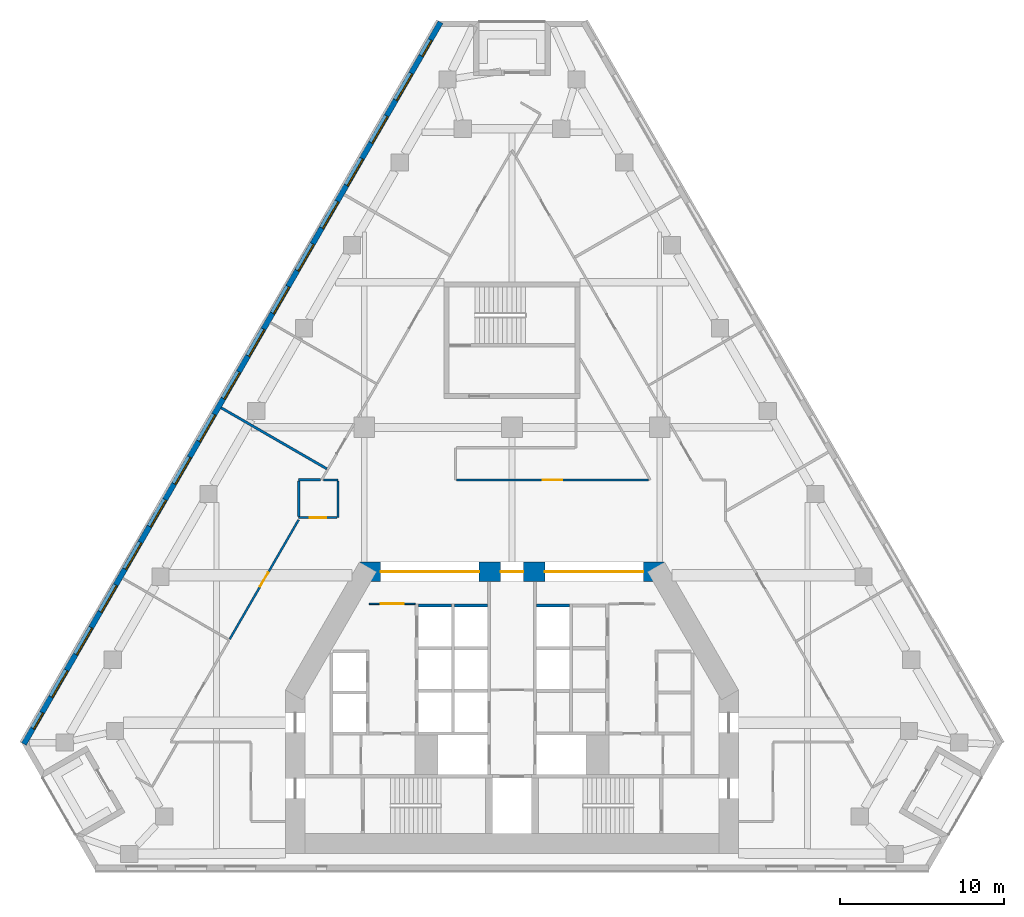
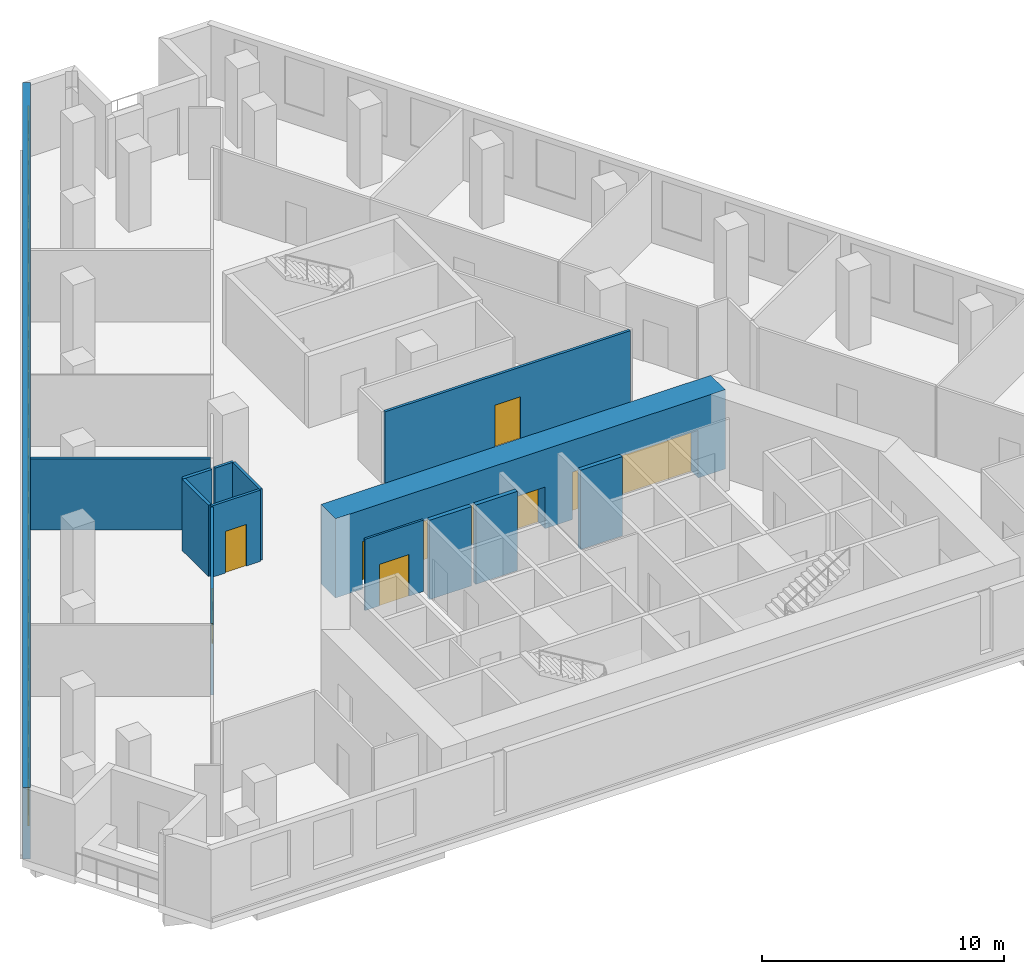
# One storey, part 5 of 10: 17 windows, 14 walls, 7 doors, 24 openings.
"""IFC4 building model written with IfcOpenShell, lengths in metres."""

from ifc_helpers import new_model, si_unit, direction, frame, frame_2d, origin, place, context, subcontext, project, spatial, rectangle, extrude, material, layer, layer_set, type_object, element, fill, save


model = new_model("IFC4")

# Units and contexts
model_context = context("Model", 3, precision=1e-05, world=origin(), true_north=direction((0.0, 1.0)))
body_context = subcontext(model_context, "Body", "Model", "MODEL_VIEW")
ifc_project = project(units=[si_unit("LENGTHUNIT", "METRE"), si_unit("AREAUNIT", "SQUARE_METRE"), si_unit("VOLUMEUNIT", "CUBIC_METRE"), si_unit("PLANEANGLEUNIT", "RADIAN"), si_unit("MASSUNIT", "GRAM", prefix="KILO")], contexts=[model_context])

# Site, building, storey
site_placement = place(None, origin())
site = spatial("IfcSite", under=ifc_project, at=site_placement, CompositionType="ELEMENT")
building_placement = place(site_placement, origin())
building = spatial("IfcBuilding", under=site, at=building_placement, Name="Fogline Exchange Tower", CompositionType="ELEMENT")
storey_placement = place(building_placement, frame((0.0, 0.0, 128.10009765625)))
storey = spatial("IfcBuildingStorey", under=building, at=storey_placement, Name="L28", CompositionType="ELEMENT", Elevation=128.10009765625)

# Wall, opening, door
ifc_material_1 = material(Name="Blockwork partition", Category="masonry")
ifc_layer_1 = layer(ifc_material_1, 0.10009765625)
ifc_layer_set_1 = layer_set([ifc_layer_1], Name="CW10")
wall_type_1 = type_object("IfcWallType", Name="CW10", PredefinedType="PARTITIONING", material=ifc_layer_set_1)
wall_1_placement = place(storey_placement, frame((-8.699951171875, 16.25, 0.0), z_axis=(0.0, 0.0, 1.0), x_axis=(1.0, 0.0, 0.0)))
wall_1 = element("IfcWall", 1, at=wall_1_placement, inside=storey, type_object=wall_type_1, Name="Lift lobby partition", PredefinedType="PARTITIONING", context=body_context, shape_type="SweptSolid", body=[
    extrude(rectangle(XDim=2.800048828125, YDim=0.10009765625, at=frame_2d((1.39990234375, 0.0))), origin(), (0.0, 0.0, 1.0), 3.599853515625),
])
opening_1_placement = place(wall_1_placement, frame((0.699951171875, 0.0, 0.0)))
opening_1 = element("IfcOpeningElement", 2, at=opening_1_placement, cuts=wall_1, Name="Opening T08-C007", PredefinedType="OPENING", context=body_context, shape_type="SweptSolid", body=[
    extrude(rectangle(XDim=1.39990234375, YDim=2.10009765625, at=frame_2d((0.699951171875, 1.050048828125))), frame((0.0, 0.06005859375, 0.0), z_axis=(0.0, -1.0, 0.0), x_axis=(1.0, 0.0, 0.0)), (0.0, 0.0, 1.0), 0.1201171875),
])
ifc_material_2 = material(Name="Steel and timber fire door", Category="steel")
door_type_1 = type_object("IfcDoorType", Name="D-LB1", OperationType="DOUBLE_DOOR_SINGLE_SWING", PredefinedType="DOOR", material=ifc_material_2)
door_1_placement = place(opening_1_placement, origin())
door_1 = element("IfcDoor", 3, at=door_1_placement, inside=storey, type_object=door_type_1, Name="Door to lift lobby", OperationType="DOUBLE_DOOR_SINGLE_SWING", OverallHeight=2.10009765625, OverallWidth=1.39990234375, PredefinedType="DOOR", context=body_context, shape_type="SweptSolid", body=[
    extrude(rectangle(XDim=1.39990234375, YDim=2.10009765625, at=frame_2d((0.699951171875, 1.050048828125))), frame((0.0, 0.02490234375, 0.0), z_axis=(0.0, -1.0, 0.0), x_axis=(1.0, 0.0, 0.0)), (0.0, 0.0, 1.0), 0.050048828125),
])
fill(opening_1, door_1)

# Walls
ifc_material_3 = material(Name="Concrete C40", Category="concrete")
ifc_layer_2 = layer(ifc_material_3, 0.199951171875)
ifc_layer_set_2 = layer_set([ifc_layer_2], Name="CW20S")
wall_type_2 = type_object("IfcWallType", Name="CW20S", PredefinedType="SOLIDWALL", material=ifc_layer_set_2)
for number, where, z_axis, x_axis, name in (
    (4, (-5.699951171875, 16.14990234375, -0.400146484375), (0.0, 0.0, 1.0), (1.0, 0.0, 0.0), "Lift shaft wall"),
    (5, (-3.5, 16.14990234375, -0.400146484375), (0.0, 0.0, 1.0), (1.0, 0.0, 0.0), "Lift shaft wall"),
    (6, (1.5, 16.14990234375, -0.400146484375), (0.0, 0.0, 1.0), (1.0, 0.0, 0.0), "Lift shaft wall"),
):
    element("IfcWall", number, at=place(storey_placement, frame(where, z_axis=z_axis, x_axis=x_axis)), inside=storey, type_object=wall_type_2, Name=name, PredefinedType="SOLIDWALL", context=body_context, shape_type="SweptSolid", body=[
        extrude(rectangle(XDim=2.0, YDim=0.199951171875, at=frame_2d((1.0, 0.0))), origin(), (0.0, 0.0, 1.0), 4.0),
    ])

# Wall, openings, windows
ifc_material_4 = material(Name="Brick masonry", Category="masonry")
ifc_layer_3 = layer(ifc_material_4, 0.340087890625)
ifc_layer_set_3 = layer_set([ifc_layer_3], Name="FW1")
wall_type_3 = type_object("IfcWallType", Name="FW1", PredefinedType="SOLIDWALL", material=ifc_layer_set_3)
wall_2_placement = place(storey_placement, frame((-4.352783203125, 51.691650390625, 0.0), z_axis=(0.0, 0.0, 1.0), x_axis=(-0.500000700546, -0.866024999324, 0.0)))
wall_2 = element("IfcWall", 7, at=wall_2_placement, inside=storey, type_object=wall_type_3, Name="Brick wall L28 W", PredefinedType="SOLIDWALL", context=body_context, shape_type="SweptSolid", body=[
    extrude(rectangle(XDim=50.78662109375, YDim=0.340087890625, at=frame_2d((25.393310546875, 0.0))), origin(), (0.0, 0.0, 1.0), 3.599853515625),
])
opening_2_placement = place(wall_2_placement, frame((3.58984375, 0.0, 0.89990234375)))
opening_2 = element("IfcOpeningElement", 8, at=opening_2_placement, cuts=wall_2, Name="Opening W1", PredefinedType="OPENING", context=body_context, shape_type="SweptSolid", body=[
    extrude(rectangle(XDim=1.885009765625, YDim=2.39990234375, at=frame_2d((0.9423828125, 1.199951171875))), frame((0.0, 0.18017578125, 0.0), z_axis=(0.0, -1.0, 0.0), x_axis=(1.0, 0.0, 0.0)), (0.0, 0.0, 1.0), 0.360107421875),
])
opening_3_placement = place(wall_2_placement, frame((6.58984375, 0.0, 0.89990234375)))
opening_3 = element("IfcOpeningElement", 9, at=opening_3_placement, cuts=wall_2, Name="Opening W1", PredefinedType="OPENING", context=body_context, shape_type="SweptSolid", body=[
    extrude(rectangle(XDim=1.885009765625, YDim=2.39990234375, at=frame_2d((0.9423828125, 1.199951171875))), frame((0.0, 0.18017578125, 0.0), z_axis=(0.0, -1.0, 0.0), x_axis=(1.0, 0.0, 0.0)), (0.0, 0.0, 1.0), 0.360107421875),
])
opening_4_placement = place(wall_2_placement, frame((9.58984375, 0.0, 0.89990234375)))
opening_4 = element("IfcOpeningElement", 10, at=opening_4_placement, cuts=wall_2, Name="Opening W1", PredefinedType="OPENING", context=body_context, shape_type="SweptSolid", body=[
    extrude(rectangle(XDim=1.885009765625, YDim=2.39990234375, at=frame_2d((0.9423828125, 1.199951171875))), frame((0.0, 0.18017578125, 0.0), z_axis=(0.0, -1.0, 0.0), x_axis=(1.0, 0.0, 0.0)), (0.0, 0.0, 1.0), 0.360107421875),
])
opening_5_placement = place(wall_2_placement, frame((12.58984375, 0.0, 0.89990234375)))
opening_5 = element("IfcOpeningElement", 11, at=opening_5_placement, cuts=wall_2, Name="Opening W1", PredefinedType="OPENING", context=body_context, shape_type="SweptSolid", body=[
    extrude(rectangle(XDim=1.885009765625, YDim=2.39990234375, at=frame_2d((0.9423828125, 1.199951171875))), frame((0.0, 0.18017578125, 0.0), z_axis=(0.0, -1.0, 0.0), x_axis=(1.0, 0.0, 0.0)), (0.0, 0.0, 1.0), 0.360107421875),
])
opening_6_placement = place(wall_2_placement, frame((15.58984375, 0.0, 0.89990234375)))
opening_6 = element("IfcOpeningElement", 12, at=opening_6_placement, cuts=wall_2, Name="Opening W1", PredefinedType="OPENING", context=body_context, shape_type="SweptSolid", body=[
    extrude(rectangle(XDim=1.885009765625, YDim=2.39990234375, at=frame_2d((0.9423828125, 1.199951171875))), frame((0.0, 0.18017578125, 0.0), z_axis=(0.0, -1.0, 0.0), x_axis=(1.0, 0.0, 0.0)), (0.0, 0.0, 1.0), 0.360107421875),
])
opening_7_placement = place(wall_2_placement, frame((18.58984375, 0.0, 0.89990234375)))
opening_7 = element("IfcOpeningElement", 13, at=opening_7_placement, cuts=wall_2, Name="Opening W1", PredefinedType="OPENING", context=body_context, shape_type="SweptSolid", body=[
    extrude(rectangle(XDim=1.885009765625, YDim=2.39990234375, at=frame_2d((0.9423828125, 1.199951171875))), frame((0.0, 0.18017578125, 0.0), z_axis=(0.0, -1.0, 0.0), x_axis=(1.0, 0.0, 0.0)), (0.0, 0.0, 1.0), 0.360107421875),
])
opening_8_placement = place(wall_2_placement, frame((21.58984375, 0.0, 0.89990234375)))
opening_8 = element("IfcOpeningElement", 14, at=opening_8_placement, cuts=wall_2, Name="Opening W1", PredefinedType="OPENING", context=body_context, shape_type="SweptSolid", body=[
    extrude(rectangle(XDim=1.885009765625, YDim=2.39990234375, at=frame_2d((0.9423828125, 1.199951171875))), frame((0.0, 0.18017578125, 0.0), z_axis=(0.0, -1.0, 0.0), x_axis=(1.0, 0.0, 0.0)), (0.0, 0.0, 1.0), 0.360107421875),
])
opening_9_placement = place(wall_2_placement, frame((24.58984375, 0.0, 0.89990234375)))
opening_9 = element("IfcOpeningElement", 15, at=opening_9_placement, cuts=wall_2, Name="Opening W1", PredefinedType="OPENING", context=body_context, shape_type="SweptSolid", body=[
    extrude(rectangle(XDim=1.885009765625, YDim=2.39990234375, at=frame_2d((0.9423828125, 1.199951171875))), frame((0.0, 0.18017578125, 0.0), z_axis=(0.0, -1.0, 0.0), x_axis=(1.0, 0.0, 0.0)), (0.0, 0.0, 1.0), 0.360107421875),
])
opening_10_placement = place(wall_2_placement, frame((27.58984375, 0.0, 0.89990234375)))
opening_10 = element("IfcOpeningElement", 16, at=opening_10_placement, cuts=wall_2, Name="Opening W1", PredefinedType="OPENING", context=body_context, shape_type="SweptSolid", body=[
    extrude(rectangle(XDim=1.885009765625, YDim=2.39990234375, at=frame_2d((0.9423828125, 1.199951171875))), frame((0.0, 0.18017578125, 0.0), z_axis=(0.0, -1.0, 0.0), x_axis=(1.0, 0.0, 0.0)), (0.0, 0.0, 1.0), 0.360107421875),
])
opening_11_placement = place(wall_2_placement, frame((30.58984375, 0.0, 0.89990234375)))
opening_11 = element("IfcOpeningElement", 17, at=opening_11_placement, cuts=wall_2, Name="Opening W1", PredefinedType="OPENING", context=body_context, shape_type="SweptSolid", body=[
    extrude(rectangle(XDim=1.885009765625, YDim=2.39990234375, at=frame_2d((0.9423828125, 1.199951171875))), frame((0.0, 0.18017578125, 0.0), z_axis=(0.0, -1.0, 0.0), x_axis=(1.0, 0.0, 0.0)), (0.0, 0.0, 1.0), 0.360107421875),
])
opening_12_placement = place(wall_2_placement, frame((33.58984375, 0.0, 0.89990234375)))
opening_12 = element("IfcOpeningElement", 18, at=opening_12_placement, cuts=wall_2, Name="Opening W1", PredefinedType="OPENING", context=body_context, shape_type="SweptSolid", body=[
    extrude(rectangle(XDim=1.885009765625, YDim=2.39990234375, at=frame_2d((0.9423828125, 1.199951171875))), frame((0.0, 0.18017578125, 0.0), z_axis=(0.0, -1.0, 0.0), x_axis=(1.0, 0.0, 0.0)), (0.0, 0.0, 1.0), 0.360107421875),
])
opening_13_placement = place(wall_2_placement, frame((36.58984375, 0.0, 0.89990234375)))
opening_13 = element("IfcOpeningElement", 19, at=opening_13_placement, cuts=wall_2, Name="Opening W1", PredefinedType="OPENING", context=body_context, shape_type="SweptSolid", body=[
    extrude(rectangle(XDim=1.885009765625, YDim=2.39990234375, at=frame_2d((0.9423828125, 1.199951171875))), frame((0.0, 0.18017578125, 0.0), z_axis=(0.0, -1.0, 0.0), x_axis=(1.0, 0.0, 0.0)), (0.0, 0.0, 1.0), 0.360107421875),
])
opening_14_placement = place(wall_2_placement, frame((39.58984375, 0.0, 0.89990234375)))
opening_14 = element("IfcOpeningElement", 20, at=opening_14_placement, cuts=wall_2, Name="Opening W1", PredefinedType="OPENING", context=body_context, shape_type="SweptSolid", body=[
    extrude(rectangle(XDim=1.885009765625, YDim=2.39990234375, at=frame_2d((0.9423828125, 1.199951171875))), frame((0.0, 0.18017578125, 0.0), z_axis=(0.0, -1.0, 0.0), x_axis=(1.0, 0.0, 0.0)), (0.0, 0.0, 1.0), 0.360107421875),
])
opening_15_placement = place(wall_2_placement, frame((42.58984375, 0.0, 0.89990234375)))
opening_15 = element("IfcOpeningElement", 21, at=opening_15_placement, cuts=wall_2, Name="Opening W1", PredefinedType="OPENING", context=body_context, shape_type="SweptSolid", body=[
    extrude(rectangle(XDim=1.885009765625, YDim=2.39990234375, at=frame_2d((0.9423828125, 1.199951171875))), frame((0.0, 0.18017578125, 0.0), z_axis=(0.0, -1.0, 0.0), x_axis=(1.0, 0.0, 0.0)), (0.0, 0.0, 1.0), 0.360107421875),
])
opening_16_placement = place(wall_2_placement, frame((45.58984375, 0.0, 0.89990234375)))
opening_16 = element("IfcOpeningElement", 22, at=opening_16_placement, cuts=wall_2, Name="Opening W1", PredefinedType="OPENING", context=body_context, shape_type="SweptSolid", body=[
    extrude(rectangle(XDim=1.885009765625, YDim=2.39990234375, at=frame_2d((0.9423828125, 1.199951171875))), frame((0.0, 0.18017578125, 0.0), z_axis=(0.0, -1.0, 0.0), x_axis=(1.0, 0.0, 0.0)), (0.0, 0.0, 1.0), 0.360107421875),
])
opening_17_placement = place(wall_2_placement, frame((1.237548828125, 0.0, 0.89990234375)))
opening_17 = element("IfcOpeningElement", 23, at=opening_17_placement, cuts=wall_2, Name="Opening W4", PredefinedType="OPENING", context=body_context, shape_type="SweptSolid", body=[
    extrude(rectangle(XDim=1.114990234375, YDim=2.39990234375, at=frame_2d((0.5576171875, 1.199951171875))), frame((0.0, 0.18017578125, 0.0), z_axis=(0.0, -1.0, 0.0), x_axis=(1.0, 0.0, 0.0)), (0.0, 0.0, 1.0), 0.360107421875),
])
opening_18_placement = place(wall_2_placement, frame((48.5732421875, 0.0, 0.89990234375)))
opening_18 = element("IfcOpeningElement", 24, at=opening_18_placement, cuts=wall_2, Name="Opening W4", PredefinedType="OPENING", context=body_context, shape_type="SweptSolid", body=[
    extrude(rectangle(XDim=1.114990234375, YDim=2.39990234375, at=frame_2d((0.5576171875, 1.199951171875))), frame((0.0, 0.18017578125, 0.0), z_axis=(0.0, -1.0, 0.0), x_axis=(1.0, 0.0, 0.0)), (0.0, 0.0, 1.0), 0.360107421875),
])
ifc_material_5 = material(Name="Aluminium and glass", Category="aluminium")
window_type_1 = type_object("IfcWindowType", Name="W1", PartitioningType="SINGLE_PANEL", PredefinedType="WINDOW", material=ifc_material_5)
window_1_placement = place(opening_2_placement, origin())
window_1 = element("IfcWindow", 25, at=window_1_placement, inside=storey, type_object=window_type_1, Name="W1 W1", OverallHeight=2.39990234375, OverallWidth=1.885009765625, PartitioningType="SINGLE_PANEL", PredefinedType="WINDOW", context=body_context, shape_type="SweptSolid", body=[
    extrude(rectangle(XDim=1.885009765625, YDim=2.39990234375, at=frame_2d((0.9423828125, 1.199951171875))), frame((0.0, 0.110107421875, 0.0), z_axis=(0.0, -1.0, 0.0), x_axis=(1.0, 0.0, 0.0)), (0.0, 0.0, 1.0), 0.06005859375),
])
fill(opening_2, window_1)
window_2_placement = place(opening_3_placement, origin())
window_2 = element("IfcWindow", 26, at=window_2_placement, inside=storey, type_object=window_type_1, Name="W1 W1", OverallHeight=2.39990234375, OverallWidth=1.885009765625, PartitioningType="SINGLE_PANEL", PredefinedType="WINDOW", context=body_context, shape_type="SweptSolid", body=[
    extrude(rectangle(XDim=1.885009765625, YDim=2.39990234375, at=frame_2d((0.9423828125, 1.199951171875))), frame((0.0, 0.110107421875, 0.0), z_axis=(0.0, -1.0, 0.0), x_axis=(1.0, 0.0, 0.0)), (0.0, 0.0, 1.0), 0.06005859375),
])
fill(opening_3, window_2)
window_3_placement = place(opening_4_placement, origin())
window_3 = element("IfcWindow", 27, at=window_3_placement, inside=storey, type_object=window_type_1, Name="W1 W1", OverallHeight=2.39990234375, OverallWidth=1.885009765625, PartitioningType="SINGLE_PANEL", PredefinedType="WINDOW", context=body_context, shape_type="SweptSolid", body=[
    extrude(rectangle(XDim=1.885009765625, YDim=2.39990234375, at=frame_2d((0.9423828125, 1.199951171875))), frame((0.0, 0.110107421875, 0.0), z_axis=(0.0, -1.0, 0.0), x_axis=(1.0, 0.0, 0.0)), (0.0, 0.0, 1.0), 0.06005859375),
])
fill(opening_4, window_3)
window_4_placement = place(opening_5_placement, origin())
window_4 = element("IfcWindow", 28, at=window_4_placement, inside=storey, type_object=window_type_1, Name="W1 W1", OverallHeight=2.39990234375, OverallWidth=1.885009765625, PartitioningType="SINGLE_PANEL", PredefinedType="WINDOW", context=body_context, shape_type="SweptSolid", body=[
    extrude(rectangle(XDim=1.885009765625, YDim=2.39990234375, at=frame_2d((0.9423828125, 1.199951171875))), frame((0.0, 0.110107421875, 0.0), z_axis=(0.0, -1.0, 0.0), x_axis=(1.0, 0.0, 0.0)), (0.0, 0.0, 1.0), 0.06005859375),
])
fill(opening_5, window_4)
window_5_placement = place(opening_6_placement, origin())
window_5 = element("IfcWindow", 29, at=window_5_placement, inside=storey, type_object=window_type_1, Name="W1 W1", OverallHeight=2.39990234375, OverallWidth=1.885009765625, PartitioningType="SINGLE_PANEL", PredefinedType="WINDOW", context=body_context, shape_type="SweptSolid", body=[
    extrude(rectangle(XDim=1.885009765625, YDim=2.39990234375, at=frame_2d((0.9423828125, 1.199951171875))), frame((0.0, 0.110107421875, 0.0), z_axis=(0.0, -1.0, 0.0), x_axis=(1.0, 0.0, 0.0)), (0.0, 0.0, 1.0), 0.06005859375),
])
fill(opening_6, window_5)
window_6_placement = place(opening_7_placement, origin())
window_6 = element("IfcWindow", 30, at=window_6_placement, inside=storey, type_object=window_type_1, Name="W1 W1", OverallHeight=2.39990234375, OverallWidth=1.885009765625, PartitioningType="SINGLE_PANEL", PredefinedType="WINDOW", context=body_context, shape_type="SweptSolid", body=[
    extrude(rectangle(XDim=1.885009765625, YDim=2.39990234375, at=frame_2d((0.9423828125, 1.199951171875))), frame((0.0, 0.110107421875, 0.0), z_axis=(0.0, -1.0, 0.0), x_axis=(1.0, 0.0, 0.0)), (0.0, 0.0, 1.0), 0.06005859375),
])
fill(opening_7, window_6)
window_7_placement = place(opening_8_placement, origin())
window_7 = element("IfcWindow", 31, at=window_7_placement, inside=storey, type_object=window_type_1, Name="W1 W1", OverallHeight=2.39990234375, OverallWidth=1.885009765625, PartitioningType="SINGLE_PANEL", PredefinedType="WINDOW", context=body_context, shape_type="SweptSolid", body=[
    extrude(rectangle(XDim=1.885009765625, YDim=2.39990234375, at=frame_2d((0.9423828125, 1.199951171875))), frame((0.0, 0.110107421875, 0.0), z_axis=(0.0, -1.0, 0.0), x_axis=(1.0, 0.0, 0.0)), (0.0, 0.0, 1.0), 0.06005859375),
])
fill(opening_8, window_7)
window_8_placement = place(opening_9_placement, origin())
window_8 = element("IfcWindow", 32, at=window_8_placement, inside=storey, type_object=window_type_1, Name="W1 W1", OverallHeight=2.39990234375, OverallWidth=1.885009765625, PartitioningType="SINGLE_PANEL", PredefinedType="WINDOW", context=body_context, shape_type="SweptSolid", body=[
    extrude(rectangle(XDim=1.885009765625, YDim=2.39990234375, at=frame_2d((0.9423828125, 1.199951171875))), frame((0.0, 0.110107421875, 0.0), z_axis=(0.0, -1.0, 0.0), x_axis=(1.0, 0.0, 0.0)), (0.0, 0.0, 1.0), 0.06005859375),
])
fill(opening_9, window_8)
window_9_placement = place(opening_10_placement, origin())
window_9 = element("IfcWindow", 33, at=window_9_placement, inside=storey, type_object=window_type_1, Name="W1 W1", OverallHeight=2.39990234375, OverallWidth=1.885009765625, PartitioningType="SINGLE_PANEL", PredefinedType="WINDOW", context=body_context, shape_type="SweptSolid", body=[
    extrude(rectangle(XDim=1.885009765625, YDim=2.39990234375, at=frame_2d((0.9423828125, 1.199951171875))), frame((0.0, 0.110107421875, 0.0), z_axis=(0.0, -1.0, 0.0), x_axis=(1.0, 0.0, 0.0)), (0.0, 0.0, 1.0), 0.06005859375),
])
fill(opening_10, window_9)
window_10_placement = place(opening_11_placement, origin())
window_10 = element("IfcWindow", 34, at=window_10_placement, inside=storey, type_object=window_type_1, Name="W1 W1", OverallHeight=2.39990234375, OverallWidth=1.885009765625, PartitioningType="SINGLE_PANEL", PredefinedType="WINDOW", context=body_context, shape_type="SweptSolid", body=[
    extrude(rectangle(XDim=1.885009765625, YDim=2.39990234375, at=frame_2d((0.9423828125, 1.199951171875))), frame((0.0, 0.110107421875, 0.0), z_axis=(0.0, -1.0, 0.0), x_axis=(1.0, 0.0, 0.0)), (0.0, 0.0, 1.0), 0.06005859375),
])
fill(opening_11, window_10)
window_11_placement = place(opening_12_placement, origin())
window_11 = element("IfcWindow", 35, at=window_11_placement, inside=storey, type_object=window_type_1, Name="W1 W1", OverallHeight=2.39990234375, OverallWidth=1.885009765625, PartitioningType="SINGLE_PANEL", PredefinedType="WINDOW", context=body_context, shape_type="SweptSolid", body=[
    extrude(rectangle(XDim=1.885009765625, YDim=2.39990234375, at=frame_2d((0.9423828125, 1.199951171875))), frame((0.0, 0.110107421875, 0.0), z_axis=(0.0, -1.0, 0.0), x_axis=(1.0, 0.0, 0.0)), (0.0, 0.0, 1.0), 0.06005859375),
])
fill(opening_12, window_11)
window_12_placement = place(opening_13_placement, origin())
window_12 = element("IfcWindow", 36, at=window_12_placement, inside=storey, type_object=window_type_1, Name="W1 W1", OverallHeight=2.39990234375, OverallWidth=1.885009765625, PartitioningType="SINGLE_PANEL", PredefinedType="WINDOW", context=body_context, shape_type="SweptSolid", body=[
    extrude(rectangle(XDim=1.885009765625, YDim=2.39990234375, at=frame_2d((0.9423828125, 1.199951171875))), frame((0.0, 0.110107421875, 0.0), z_axis=(0.0, -1.0, 0.0), x_axis=(1.0, 0.0, 0.0)), (0.0, 0.0, 1.0), 0.06005859375),
])
fill(opening_13, window_12)
window_13_placement = place(opening_14_placement, origin())
window_13 = element("IfcWindow", 37, at=window_13_placement, inside=storey, type_object=window_type_1, Name="W1 W1", OverallHeight=2.39990234375, OverallWidth=1.885009765625, PartitioningType="SINGLE_PANEL", PredefinedType="WINDOW", context=body_context, shape_type="SweptSolid", body=[
    extrude(rectangle(XDim=1.885009765625, YDim=2.39990234375, at=frame_2d((0.9423828125, 1.199951171875))), frame((0.0, 0.110107421875, 0.0), z_axis=(0.0, -1.0, 0.0), x_axis=(1.0, 0.0, 0.0)), (0.0, 0.0, 1.0), 0.06005859375),
])
fill(opening_14, window_13)
window_14_placement = place(opening_15_placement, origin())
window_14 = element("IfcWindow", 38, at=window_14_placement, inside=storey, type_object=window_type_1, Name="W1 W1", OverallHeight=2.39990234375, OverallWidth=1.885009765625, PartitioningType="SINGLE_PANEL", PredefinedType="WINDOW", context=body_context, shape_type="SweptSolid", body=[
    extrude(rectangle(XDim=1.885009765625, YDim=2.39990234375, at=frame_2d((0.9423828125, 1.199951171875))), frame((0.0, 0.110107421875, 0.0), z_axis=(0.0, -1.0, 0.0), x_axis=(1.0, 0.0, 0.0)), (0.0, 0.0, 1.0), 0.06005859375),
])
fill(opening_15, window_14)
window_15_placement = place(opening_16_placement, origin())
window_15 = element("IfcWindow", 39, at=window_15_placement, inside=storey, type_object=window_type_1, Name="W1 W1", OverallHeight=2.39990234375, OverallWidth=1.885009765625, PartitioningType="SINGLE_PANEL", PredefinedType="WINDOW", context=body_context, shape_type="SweptSolid", body=[
    extrude(rectangle(XDim=1.885009765625, YDim=2.39990234375, at=frame_2d((0.9423828125, 1.199951171875))), frame((0.0, 0.110107421875, 0.0), z_axis=(0.0, -1.0, 0.0), x_axis=(1.0, 0.0, 0.0)), (0.0, 0.0, 1.0), 0.06005859375),
])
fill(opening_16, window_15)
window_type_2 = type_object("IfcWindowType", Name="W4", PartitioningType="SINGLE_PANEL", PredefinedType="WINDOW", material=ifc_material_5)
window_16_placement = place(opening_17_placement, origin())
window_16 = element("IfcWindow", 40, at=window_16_placement, inside=storey, type_object=window_type_2, Name="W4 W4", OverallHeight=2.39990234375, OverallWidth=1.114990234375, PartitioningType="SINGLE_PANEL", PredefinedType="WINDOW", context=body_context, shape_type="SweptSolid", body=[
    extrude(rectangle(XDim=1.114990234375, YDim=2.39990234375, at=frame_2d((0.5576171875, 1.199951171875))), frame((0.0, 0.110107421875, 0.0), z_axis=(0.0, -1.0, 0.0), x_axis=(1.0, 0.0, 0.0)), (0.0, 0.0, 1.0), 0.06005859375),
])
fill(opening_17, window_16)
window_17_placement = place(opening_18_placement, origin())
window_17 = element("IfcWindow", 41, at=window_17_placement, inside=storey, type_object=window_type_2, Name="W4 W4", OverallHeight=2.39990234375, OverallWidth=1.114990234375, PartitioningType="SINGLE_PANEL", PredefinedType="WINDOW", context=body_context, shape_type="SweptSolid", body=[
    extrude(rectangle(XDim=1.114990234375, YDim=2.39990234375, at=frame_2d((0.5576171875, 1.199951171875))), frame((0.0, 0.110107421875, 0.0), z_axis=(0.0, -1.0, 0.0), x_axis=(1.0, 0.0, 0.0)), (0.0, 0.0, 1.0), 0.06005859375),
])
fill(opening_18, window_17)

# Wall, opening, door
ifc_material_6 = material(Name="Plasterboard corridor partition with mineral wool, 2 layers each side")
ifc_layer_4 = layer(ifc_material_6, 0.125)
ifc_layer_set_4 = layer_set([ifc_layer_4], Name="PW2")
wall_type_4 = type_object("IfcWallType", Name="PW2", PredefinedType="PARTITIONING", material=ifc_layer_set_4)
wall_3_placement = place(storey_placement, frame((-3.387451171875, 23.800048828125, 0.0), z_axis=(0.0, 0.0, 1.0), x_axis=(1.0, 0.0, 0.0)))
wall_3 = element("IfcWall", 42, at=wall_3_placement, inside=storey, type_object=wall_type_4, Name="wall-L28-W005", PredefinedType="PARTITIONING", context=body_context, shape_type="SweptSolid", body=[
    extrude(rectangle(XDim=11.70263671875, YDim=0.125, at=frame_2d((5.851318359375, 0.0))), origin(), (0.0, 0.0, 1.0), 3.599853515625),
])
opening_19_placement = place(wall_3_placement, frame((5.25146484375, 0.0, 0.0)))
opening_19 = element("IfcOpeningElement", 43, at=opening_19_placement, cuts=wall_3, Name="Opening T08-D002", PredefinedType="OPENING", context=body_context, shape_type="SweptSolid", body=[
    extrude(rectangle(XDim=1.199951171875, YDim=2.10009765625, at=frame_2d((0.60009765625, 1.050048828125))), frame((0.0, 0.072509765625, 0.0), z_axis=(0.0, -1.0, 0.0), x_axis=(1.0, 0.0, 0.0)), (0.0, 0.0, 1.0), 0.14501953125),
])
ifc_material_7 = material(Name="Fire-rated glazed door leaf with steel frame", Category="steel")
door_type_2 = type_object("IfcDoorType", Name="D5", OperationType="SINGLE_SWING_LEFT", PredefinedType="DOOR", material=ifc_material_7)
door_2_placement = place(opening_19_placement, origin())
door_2 = element("IfcDoor", 44, at=door_2_placement, inside=storey, type_object=door_type_2, Name="door-L28-D002", OperationType="SINGLE_SWING_RIGHT", OverallHeight=2.10009765625, OverallWidth=1.199951171875, PredefinedType="DOOR", context=body_context, shape_type="SweptSolid", body=[
    extrude(rectangle(XDim=1.199951171875, YDim=2.10009765625, at=frame_2d((0.60009765625, 1.050048828125))), frame((0.0, 0.02490234375, 0.0), z_axis=(0.0, -1.0, 0.0), x_axis=(1.0, 0.0, 0.0)), (0.0, 0.0, 1.0), 0.050048828125),
])
fill(opening_19, door_2)

wall_4_placement = place(storey_placement, frame((-13.0, 21.5, 0.0), z_axis=(0.0, 0.0, 1.0), x_axis=(1.0, 0.0, 0.0)))
wall_4 = element("IfcWall", 45, at=wall_4_placement, inside=storey, type_object=wall_type_4, Name="wall-L28-W006", PredefinedType="PARTITIONING", context=body_context, shape_type="SweptSolid", body=[
    extrude(rectangle(XDim=2.33740234375, YDim=0.125, at=frame_2d((1.168701171875, 0.0))), origin(), (0.0, 0.0, 1.0), 3.599853515625),
])
opening_20_placement = place(wall_4_placement, frame((0.668701171875, 0.0, 0.0)))
opening_20 = element("IfcOpeningElement", 46, at=opening_20_placement, cuts=wall_4, Name="Opening T08-D003", PredefinedType="OPENING", context=body_context, shape_type="SweptSolid", body=[
    extrude(rectangle(XDim=1.0, YDim=2.10009765625, at=frame_2d((0.5, 1.050048828125))), frame((0.0, 0.072509765625, 0.0), z_axis=(0.0, -1.0, 0.0), x_axis=(1.0, 0.0, 0.0)), (0.0, 0.0, 1.0), 0.14501953125),
])
ifc_material_8 = material(Name="Fire-rated timber door leaf with steel frame", Category="steel")
door_type_3 = type_object("IfcDoorType", Name="D3", OperationType="SINGLE_SWING_LEFT", PredefinedType="DOOR", material=ifc_material_8)
door_3_placement = place(opening_20_placement, origin())
door_3 = element("IfcDoor", 47, at=door_3_placement, inside=storey, type_object=door_type_3, Name="door-L28-D003", OperationType="SINGLE_SWING_LEFT", OverallHeight=2.10009765625, OverallWidth=1.0, PredefinedType="DOOR", context=body_context, shape_type="SweptSolid", body=[
    extrude(rectangle(XDim=1.0, YDim=2.10009765625, at=frame_2d((0.5, 1.050048828125))), frame((0.0, 0.02490234375, 0.0), z_axis=(0.0, -1.0, 0.0), x_axis=(1.0, 0.0, 0.0)), (0.0, 0.0, 1.0), 0.050048828125),
])
fill(opening_20, door_3)

# Walls
wall_5_placement = place(storey_placement, frame((-10.60009765625, 21.5, 0.0), z_axis=(0.0, 0.0, 1.0), x_axis=(0.0, 1.0, 0.0)))
element("IfcWall", 48, at=wall_5_placement, inside=storey, type_object=wall_type_4, Name="wall-L28-W007", PredefinedType="PARTITIONING", context=body_context, shape_type="SweptSolid", body=[
    extrude(rectangle(XDim=2.237548828125, YDim=0.125, at=frame_2d((1.11865234375, 0.0))), origin(), (0.0, 0.0, 1.0), 3.599853515625),
])
wall_6_placement = place(storey_placement, frame((-10.60009765625, 23.800048828125, 0.0), z_axis=(0.0, 0.0, 1.0), x_axis=(-1.0, 0.0, 0.0)))
element("IfcWall", 49, at=wall_6_placement, inside=storey, type_object=wall_type_4, Name="wall-L28-W021", PredefinedType="PARTITIONING", context=body_context, shape_type="SweptSolid", body=[
    extrude(rectangle(XDim=0.890625, YDim=0.125, at=frame_2d((0.4453125, 0.0))), origin(), (0.0, 0.0, 1.0), 3.599853515625),
])

# Wall, opening, door
wall_7_placement = place(storey_placement, frame((-17.201416015625, 14.097412109375, 0.0), z_axis=(0.0, 0.0, 1.0), x_axis=(0.500010849386, 0.866019139798, 0.0)))
wall_7 = element("IfcWall", 50, at=wall_7_placement, inside=storey, type_object=wall_type_4, Name="wall-L28-W025", PredefinedType="PARTITIONING", context=body_context, shape_type="SweptSolid", body=[
    extrude(rectangle(XDim=8.402587890625, YDim=0.125, at=frame_2d((4.201171875, 0.0))), origin(), (0.0, 0.0, 1.0), 3.599853515625),
])
opening_21_placement = place(wall_7_placement, frame((3.701416015625, 0.0, 0.0)))
opening_21 = element("IfcOpeningElement", 51, at=opening_21_placement, cuts=wall_7, Name="Opening T08-D011", PredefinedType="OPENING", context=body_context, shape_type="SweptSolid", body=[
    extrude(rectangle(XDim=1.0, YDim=2.10009765625, at=frame_2d((0.5, 1.050048828125))), frame((0.0, 0.072509765625, 0.0), z_axis=(0.0, -1.0, 0.0), x_axis=(1.0, 0.0, 0.0)), (0.0, 0.0, 1.0), 0.14501953125),
])
door_4_placement = place(opening_21_placement, origin())
door_4 = element("IfcDoor", 52, at=door_4_placement, inside=storey, type_object=door_type_3, Name="door-L28-D011", OperationType="SINGLE_SWING_LEFT", OverallHeight=2.10009765625, OverallWidth=1.0, PredefinedType="DOOR", context=body_context, shape_type="SweptSolid", body=[
    extrude(rectangle(XDim=1.0, YDim=2.10009765625, at=frame_2d((0.5, 1.050048828125))), frame((0.0, 0.02490234375, 0.0), z_axis=(0.0, -1.0, 0.0), x_axis=(1.0, 0.0, 0.0)), (0.0, 0.0, 1.0), 0.050048828125),
])
fill(opening_21, door_4)

# Walls
ifc_material_9 = material(Name="Plasterboard demising partition with mineral wool and acoustic board")
ifc_layer_5 = layer(ifc_material_9, 0.14990234375)
ifc_layer_set_5 = layer_set([ifc_layer_5], Name="PW3")
wall_type_5 = type_object("IfcWallType", Name="PW3", PredefinedType="PARTITIONING", material=ifc_layer_set_5)
wall_8_placement = place(storey_placement, frame((-11.28076171875, 24.477294921875, 0.0), z_axis=(0.0, 0.0, 1.0), x_axis=(-0.866034711242, 0.499983878664, 0.0)))
element("IfcWall", 53, at=wall_8_placement, inside=storey, type_object=wall_type_5, Name="wall-L28-W041", PredefinedType="PARTITIONING", context=body_context, shape_type="SweptSolid", body=[
    extrude(rectangle(XDim=7.437255859375, YDim=0.14990234375, at=frame_2d((3.71875, 0.0))), origin(), (0.0, 0.0, 1.0), 3.599853515625),
])
wall_9_placement = place(storey_placement, frame((-13.0, 21.5625, 0.0), z_axis=(0.0, 0.0, 1.0), x_axis=(0.0, 1.0, 0.0)))
element("IfcWall", 54, at=wall_9_placement, inside=storey, type_object=wall_type_5, Name="wall-L28-W042", PredefinedType="PARTITIONING", context=body_context, shape_type="SweptSolid", body=[
    extrude(rectangle(XDim=2.16259765625, YDim=0.14990234375, at=frame_2d((1.081298828125, 0.0))), origin(), (0.0, 0.0, 1.0), 3.599853515625),
])
wall_10_placement = place(storey_placement, frame((-13.0, 23.800048828125, 0.0), z_axis=(0.0, 0.0, 1.0), x_axis=(1.0, 0.0, 0.0)))
element("IfcWall", 55, at=wall_10_placement, inside=storey, type_object=wall_type_5, Name="wall-L28-W043", PredefinedType="PARTITIONING", context=body_context, shape_type="SweptSolid", body=[
    extrude(rectangle(XDim=1.345947265625, YDim=0.14990234375, at=frame_2d((0.6728515625, 0.0))), origin(), (0.0, 0.0, 1.0), 3.599853515625),
])

# Wall, openings, doors
ifc_material_10 = material(Name="Concrete C60", Category="concrete")
ifc_layer_6 = layer(ifc_material_10, 1.199951171875)
ifc_layer_set_6 = layer_set([ifc_layer_6], Name="SW02")
wall_type_6 = type_object("IfcWallType", Name="SW02", PredefinedType="SHEAR", material=ifc_layer_set_6)
wall_11_placement = place(storey_placement, frame((9.296142578125, 18.199951171875, 0.0), z_axis=(0.0, 0.0, 1.0), x_axis=(-1.0, 0.0, 0.0)))
wall_11 = element("IfcWall", 56, at=wall_11_placement, inside=storey, type_object=wall_type_6, Name="L28-W904", PredefinedType="SHEAR", context=body_context, shape_type="SweptSolid", body=[
    extrude(rectangle(XDim=18.59228515625, YDim=1.199951171875, at=frame_2d((9.296142578125, 0.0))), origin(), (0.0, 0.0, 1.0), 4.0),
])
opening_22_placement = place(wall_11_placement, frame((8.59619140625, 0.0, 0.0)))
opening_22 = element("IfcOpeningElement", 57, at=opening_22_placement, cuts=wall_11, Name="Opening T08-C020", PredefinedType="OPENING", context=body_context, shape_type="SweptSolid", body=[
    extrude(rectangle(XDim=1.39990234375, YDim=2.10009765625, at=frame_2d((0.699951171875, 1.050048828125))), frame((0.0, 0.60986328125, 0.0), z_axis=(0.0, -1.0, 0.0), x_axis=(1.0, 0.0, 0.0)), (0.0, 0.0, 1.0), 1.219970703125),
])
opening_23_placement = place(wall_11_placement, frame((11.296142578125, 0.0, 0.0)))
opening_23 = element("IfcOpeningElement", 58, at=opening_23_placement, cuts=wall_11, Name="Opening T08-C021", PredefinedType="OPENING", context=body_context, shape_type="SweptSolid", body=[
    extrude(rectangle(XDim=6.0, YDim=2.39990234375, at=frame_2d((3.0, 1.199951171875))), frame((0.0, 0.60986328125, 0.0), z_axis=(0.0, -1.0, 0.0), x_axis=(1.0, 0.0, 0.0)), (0.0, 0.0, 1.0), 1.219970703125),
])
opening_24_placement = place(wall_11_placement, frame((1.296142578125, 0.0, 0.0)))
opening_24 = element("IfcOpeningElement", 59, at=opening_24_placement, cuts=wall_11, Name="Opening T08-C022", PredefinedType="OPENING", context=body_context, shape_type="SweptSolid", body=[
    extrude(rectangle(XDim=6.0, YDim=2.39990234375, at=frame_2d((3.0, 1.199951171875))), frame((0.0, 0.60986328125, 0.0), z_axis=(0.0, -1.0, 0.0), x_axis=(1.0, 0.0, 0.0)), (0.0, 0.0, 1.0), 1.219970703125),
])
door_5_placement = place(opening_22_placement, origin())
door_5 = element("IfcDoor", 60, at=door_5_placement, inside=storey, type_object=door_type_1, Name="Protected lobby door", OperationType="DOUBLE_DOOR_SINGLE_SWING", OverallHeight=2.10009765625, OverallWidth=1.39990234375, PredefinedType="DOOR", context=body_context, shape_type="SweptSolid", body=[
    extrude(rectangle(XDim=1.39990234375, YDim=2.10009765625, at=frame_2d((0.699951171875, 1.050048828125))), frame((0.0, 0.02490234375, 0.0), z_axis=(0.0, -1.0, 0.0), x_axis=(1.0, 0.0, 0.0)), (0.0, 0.0, 1.0), 0.050048828125),
])
fill(opening_22, door_5)
door_type_4 = type_object("IfcDoorType", Name="D-LE1", OperationType="DOUBLE_DOOR_SLIDING", PredefinedType="DOOR", material=ifc_material_2)
door_6_placement = place(opening_23_placement, origin())
door_6 = element("IfcDoor", 61, at=door_6_placement, inside=storey, type_object=door_type_4, Name="Lift lobby entrance west", OperationType="DOUBLE_DOOR_SLIDING", OverallHeight=2.39990234375, OverallWidth=6.0, PredefinedType="DOOR", context=body_context, shape_type="SweptSolid", body=[
    extrude(rectangle(XDim=6.0, YDim=2.39990234375, at=frame_2d((3.0, 1.199951171875))), frame((0.0, 0.02490234375, 0.0), z_axis=(0.0, -1.0, 0.0), x_axis=(1.0, 0.0, 0.0)), (0.0, 0.0, 1.0), 0.050048828125),
])
fill(opening_23, door_6)
door_7_placement = place(opening_24_placement, origin())
door_7 = element("IfcDoor", 62, at=door_7_placement, inside=storey, type_object=door_type_4, Name="Lift lobby entrance east", OperationType="DOUBLE_DOOR_SLIDING", OverallHeight=2.39990234375, OverallWidth=6.0, PredefinedType="DOOR", context=body_context, shape_type="SweptSolid", body=[
    extrude(rectangle(XDim=6.0, YDim=2.39990234375, at=frame_2d((3.0, 1.199951171875))), frame((0.0, 0.02490234375, 0.0), z_axis=(0.0, -1.0, 0.0), x_axis=(1.0, 0.0, 0.0)), (0.0, 0.0, 1.0), 0.050048828125),
])
fill(opening_24, door_7)

save(model, "model.ifc")
